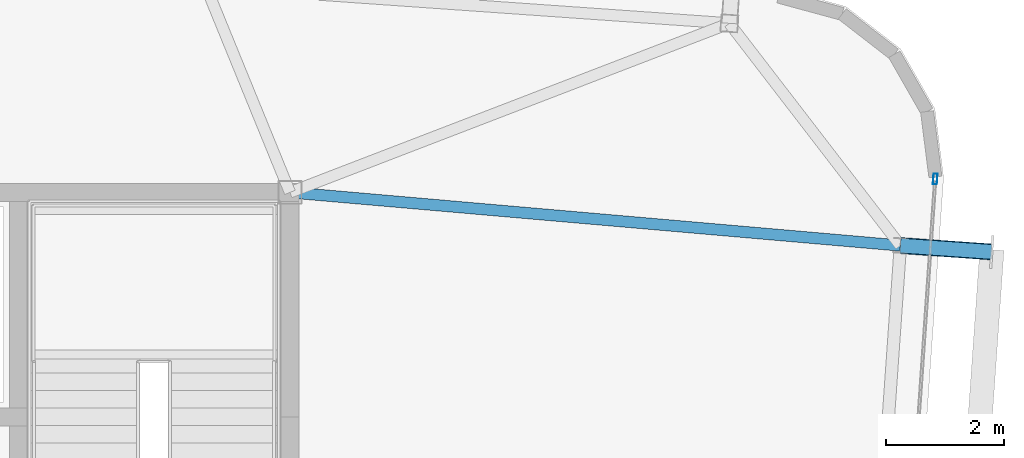
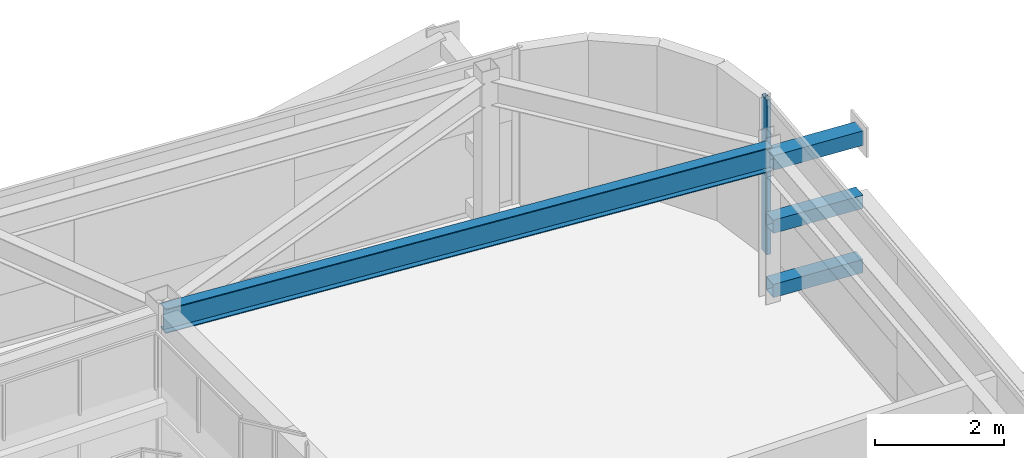
# One storey, part 18 of 39: 4 members, 1 beam, 1 element without a shape of its own.
"""IFC4 building model written with IfcOpenShell, lengths in metres."""

import ifcopenshell
import ifcopenshell.guid

model = None  # the IFC model being written
_history = None  # IfcOwnerHistory: only IFC2X3 demands one
_inside = {}  # id of a spatial element -> (the spatial element, [elements in it])
_under = {}  # id of a project, library or spatial element -> (it, [spatial elements below it])
_declared = {}  # id of a project -> (the project, [libraries it declares])
_typed = {}  # id of a type object -> (the type object, [elements of that type])
_made_of = {}  # id of a material, layer set ... -> (it, [elements and type objects made of it])


def new_model(schema):
    """Start an empty IFC model of exactly this schema.

    Asked for "IFC4X3", IfcOpenShell would pick the latest addendum, in which some entities
    have other attributes; the version numbers below select the first issue.
    IFC2X3 requires an IfcOwnerHistory on every rooted entity: one is made here for all.
    """
    global model, _history
    if schema == "IFC4X3":
        model = ifcopenshell.file(schema_version=(4, 3, 0, 0))
    else:
        model = ifcopenshell.file(schema=schema)
    _inside.clear()
    _under.clear()
    _declared.clear()
    _typed.clear()
    _made_of.clear()
    _history = None
    if model.schema == "IFC2X3":
        org = make("IfcOrganization", Name="unknown")
        user = make(
            "IfcPersonAndOrganization",
            ThePerson=make("IfcPerson", FamilyName="unknown"),
            TheOrganization=org,
        )
        app = make(
            "IfcApplication",
            ApplicationDeveloper=org,
            Version="unknown",
            ApplicationFullName="unknown",
            ApplicationIdentifier="unknown",
        )
        _history = make(
            "IfcOwnerHistory",
            OwningUser=user,
            OwningApplication=app,
            ChangeAction="ADDED",
            CreationDate=0,
        )
    return model


def make(cls, **values):
    """One entity of the class cls with the attributes given. An attribute that is None is left unset."""
    return model.create_entity(
        cls, **{name: value for name, value in values.items() if value is not None}
    )


def rooted(cls, **values):
    """An entity with a GlobalId (a new one), such as an element, a storey or a relation."""
    return make(cls, GlobalId=ifcopenshell.guid.new(), OwnerHistory=_history, **values)


def si_unit(unit_type, name, prefix=None):
    """IfcSIUnit, for example si_unit("LENGTHUNIT", "METRE", prefix="MILLI")."""
    return make("IfcSIUnit", UnitType=unit_type, Prefix=prefix, Name=name)


def assignment(units):
    """IfcUnitAssignment: the units of a project."""
    return None if units is None else make("IfcUnitAssignment", Units=units)


def point(xyz):
    """IfcCartesianPoint."""
    return None if xyz is None else make("IfcCartesianPoint", Coordinates=xyz)


def direction(xyz):
    """IfcDirection."""
    return None if xyz is None else make("IfcDirection", DirectionRatios=xyz)


def frame(location, z_axis=None, x_axis=None):
    """IfcAxis2Placement3D, a coordinate frame: its origin and axes. An axis left out is left unset."""
    return make(
        "IfcAxis2Placement3D",
        Location=point(location),
        Axis=direction(z_axis),
        RefDirection=direction(x_axis),
    )


def frame_2d(location, x_axis=None):
    """IfcAxis2Placement2D, a coordinate frame in the plane: its origin and x axis."""
    return make(
        "IfcAxis2Placement2D", Location=point(location), RefDirection=direction(x_axis)
    )


def origin():
    """The frame at (0, 0, 0) with its axes left unset."""
    return frame((0.0, 0.0, 0.0))


def origin_2d():
    """The frame at (0, 0) in the plane with its x axis left unset."""
    return frame_2d((0.0, 0.0))


def place(relative_to, where):
    """IfcLocalPlacement: puts the frame where relative to a parent placement (None: the world)."""
    return make(
        "IfcLocalPlacement", PlacementRelTo=relative_to, RelativePlacement=where
    )


def context(
    kind, dimensions, precision=None, world=None, true_north=None, identifier=None
):
    """IfcGeometricRepresentationContext, for example the 3D "Model" context."""
    return make(
        "IfcGeometricRepresentationContext",
        ContextIdentifier=identifier,
        ContextType=kind,
        CoordinateSpaceDimension=dimensions,
        Precision=precision,
        WorldCoordinateSystem=world,
        TrueNorth=true_north,
    )


def subcontext(parent, identifier, kind, view, scale=None):
    """IfcGeometricRepresentationSubContext, for example "Body" below "Model"."""
    return make(
        "IfcGeometricRepresentationSubContext",
        ContextIdentifier=identifier,
        ContextType=kind,
        ParentContext=parent,
        TargetScale=scale,
        TargetView=view,
    )


def project(units=None, contexts=None):
    """IfcProject with its units and contexts."""
    return rooted(
        "IfcProject",
        Name="project",
        RepresentationContexts=contexts,
        UnitsInContext=assignment(units),
    )


def spatial(cls, under=None, at=None, **own):
    """A site, building, storey or space (cls), placed at a placement, below another one or the project."""
    s = rooted(cls, ObjectPlacement=at, **own)
    if under is not None:
        _under.setdefault(under.id(), (under, []))[1].append(s)
    return s


def profile(cls, at=None, kind="AREA", **sizes):
    """A parametric profile (cls). Its sizes go by their IFC names, for example OverallWidth=200.0."""
    return make(cls, ProfileType=kind, Position=at, **sizes)


def hollow_rectangle(**sizes):
    """IfcRectangleHollowProfileDef."""
    return profile("IfcRectangleHollowProfileDef", **sizes)


def i_section(**sizes):
    """IfcIShapeProfileDef."""
    return profile("IfcIShapeProfileDef", **sizes)


def extrude(swept, where, along, depth):
    """IfcExtrudedAreaSolid: the profile swept, set in the frame where, extruded along a direction by depth."""
    return make(
        "IfcExtrudedAreaSolid",
        SweptArea=swept,
        Position=where,
        ExtrudedDirection=direction(along),
        Depth=depth,
    )


def shape(context_of_items, identifier, shape_type, items):
    """IfcShapeRepresentation: the items that make up one representation, for example the "Body"."""
    return make(
        "IfcShapeRepresentation",
        ContextOfItems=context_of_items,
        RepresentationIdentifier=identifier,
        RepresentationType=shape_type,
        Items=items,
    )


def source(mapping_origin, context_of_items, identifier, shape_type, items):
    """IfcRepresentationMap: a shape defined once, which mapped items show again and again."""
    return make(
        "IfcRepresentationMap",
        MappingOrigin=mapping_origin,
        MappedRepresentation=shape(context_of_items, identifier, shape_type, items),
    )


def transform(
    local_origin,
    x_axis=None,
    y_axis=None,
    z_axis=None,
    scale=None,
    scale2=None,
    scale3=None,
    uniform=True,
):
    """IfcCartesianTransformationOperator3D, or its non-uniform kind. x_axis, y_axis, z_axis: its Axis1, 2, 3."""
    if uniform:
        return make(
            "IfcCartesianTransformationOperator3D",
            Axis1=direction(x_axis),
            Axis2=direction(y_axis),
            LocalOrigin=point(local_origin),
            Scale=scale,
            Axis3=direction(z_axis),
        )
    return make(
        "IfcCartesianTransformationOperator3DnonUniform",
        Axis1=direction(x_axis),
        Axis2=direction(y_axis),
        LocalOrigin=point(local_origin),
        Scale=scale,
        Axis3=direction(z_axis),
        Scale2=scale2,
        Scale3=scale3,
    )


def mapped(mapping_source, mapping_target):
    """IfcMappedItem: shows the shape of a source again, moved by a transform."""
    return make(
        "IfcMappedItem", MappingSource=mapping_source, MappingTarget=mapping_target
    )


def material(Name=None, Category=None):
    """IfcMaterial."""
    return make("IfcMaterial", Name=Name, Category=Category)


def layer(
    of_material, thickness, ventilated=None, Name=None, Category=None, Priority=None
):
    """IfcMaterialLayer: one layer of a wall or slab, of a material (None: an air gap)."""
    return make(
        "IfcMaterialLayer",
        Material=of_material,
        LayerThickness=thickness,
        IsVentilated=ventilated,
        Name=Name,
        Category=Category,
        Priority=Priority,
    )


def layer_set(layers, Name=None):
    """IfcMaterialLayerSet."""
    return make("IfcMaterialLayerSet", MaterialLayers=layers, LayerSetName=Name)


def material_profile(
    of_material, cross_section, Name=None, Category=None, Priority=None
):
    """IfcMaterialProfile: a cross section and its material."""
    return make(
        "IfcMaterialProfile",
        Name=Name,
        Material=of_material,
        Profile=cross_section,
        Priority=Priority,
        Category=Category,
    )


def profile_set(profiles, Name=None, composite=None):
    """IfcMaterialProfileSet."""
    return make(
        "IfcMaterialProfileSet",
        Name=Name,
        MaterialProfiles=profiles,
        CompositeProfile=composite,
    )


def made_of(thing, what):
    """Note that an element or type object is made of a material, layer set ...; save() writes the relation."""
    if what is not None:
        _made_of.setdefault(what.id(), (what, []))[1].append(thing)
    return thing


def type_object(cls, material=None, **own):
    """A type object (cls), such as IfcWallType, which elements share."""
    return made_of(rooted(cls, **own), material)


def element(
    cls,
    number,
    at=None,
    inside=None,
    cuts=None,
    type_object=None,
    material=None,
    context=None,
    identifier="Body",
    shape_type=None,
    held_by="IfcProductDefinitionShape",
    body=None,
    shapes=None,
    **own,
):
    """One element of the class cls, such as IfcWall. Its Tag is "e" and its number.

    at: its placement. inside: the storey or other place that contains it. cuts: it is an
    opening in that element (IfcRelVoidsElement). A single representation is given by context,
    identifier, shape_type and body (its items); several are given by shapes. held_by: the class
    of the entity that holds the representations. save() writes the other relations.
    """
    e = rooted(cls, Tag="e%d" % number, ObjectPlacement=at, **own)
    if body is not None:
        shapes = [shape(context, identifier, shape_type, body)]
    if shapes is not None:
        e.Representation = make(held_by, Representations=shapes)
    if inside is not None:
        _inside.setdefault(inside.id(), (inside, []))[1].append(e)
    if cuts is not None:
        rooted(
            "IfcRelVoidsElement", RelatingBuildingElement=cuts, RelatedOpeningElement=e
        )
    if type_object is not None:
        _typed.setdefault(type_object.id(), (type_object, []))[1].append(e)
    return made_of(e, material)


def aggregate(whole, parts):
    """IfcRelAggregates: a whole, such as a stair, and the parts it consists of."""
    return rooted("IfcRelAggregates", RelatingObject=whole, RelatedObjects=parts)


def save(model, path):
    """Write the relations noted so far, then the file.

    IfcRelAggregates (storeys below a building ...), IfcRelContainedInSpatialStructure (elements
    in a storey), IfcRelDefinesByType, IfcRelAssociatesMaterial and IfcRelDeclares: one each for
    every whole, place, type object, material and project.
    """
    for whole, parts in _under.values():
        aggregate(whole, parts)
    for where, things in _inside.values():
        rooted(
            "IfcRelContainedInSpatialStructure",
            RelatedElements=things,
            RelatingStructure=where,
        )
    for kind, things in _typed.values():
        rooted("IfcRelDefinesByType", RelatedObjects=things, RelatingType=kind)
    for what, things in _made_of.values():
        rooted("IfcRelAssociatesMaterial", RelatedObjects=things, RelatingMaterial=what)
    for by, libraries in _declared.values():
        rooted("IfcRelDeclares", RelatingContext=by, RelatedDefinitions=libraries)
    model.write(path)


model = new_model("IFC4")

# Units and contexts
model_context = context("Model", 3, precision=1e-05, world=origin(), true_north=direction((0.0, 1.0)))
body_context = subcontext(model_context, "Body", "Model", "MODEL_VIEW")
ifc_project = project(units=[si_unit("LENGTHUNIT", "METRE"), si_unit("AREAUNIT", "SQUARE_METRE"), si_unit("VOLUMEUNIT", "CUBIC_METRE"), si_unit("PLANEANGLEUNIT", "RADIAN"), si_unit("MASSUNIT", "GRAM", prefix="KILO")], contexts=[model_context])

# Site, building, storey
site_placement = place(None, origin())
site = spatial("IfcSite", under=ifc_project, at=site_placement, CompositionType="ELEMENT")
building_placement = place(site_placement, origin())
building = spatial("IfcBuilding", under=site, at=building_placement, Name="Taldren Reach Tower", CompositionType="ELEMENT")
storey_placement = place(building_placement, frame((0.0, 0.0, 133.0)))
storey = spatial("IfcBuildingStorey", under=building, at=storey_placement, Name="L40", CompositionType="ELEMENT", Elevation=133.0)

# Members
ifc_material_1 = material(Name="Steel Gr 450 (C450L0)", Category="steel")
ifc_material_profile_1 = material_profile(ifc_material_1, hollow_rectangle(XDim=0.27490234375, YDim=0.27490234375, WallThickness=0.00927734375, at=origin_2d()), Name="275x275x9.3SHS")
ifc_profile_set_1 = profile_set([ifc_material_profile_1], Name="Steel Gr 450 (C450L0)")
member_type_1 = type_object("IfcMemberType", Name="MB-TIE273", PredefinedType="STRUT", material=ifc_profile_set_1)
shared_shape_1 = source(origin(), body_context, "Body", "SweptSolid", [
    extrude(hollow_rectangle(XDim=0.27490234375, YDim=0.27490234375, WallThickness=0.00927734375, at=origin_2d()), origin(), (0.0, 0.0, 1.0), 1.550048828125),
])
member_1_placement = place(storey_placement, frame((61.3310546875, 31.1005859375, 2.64990234375), z_axis=(0.99756313426, -0.06976957191, 0.0), x_axis=(0.06976957191, 0.99756313426, 0.0)))
element("IfcMember", 1, at=member_1_placement, inside=storey, type_object=member_type_1, Name="Exoskeleton diaphragm tie strut B3-E3 L40", PredefinedType="STRUT", context=body_context, shape_type="MappedRepresentation", body=[
    mapped(shared_shape_1, transform((0.0, 0.0, 0.0), scale=1.0)),
])
ifc_material_2 = material(Name="Steel Gr 350 (C350L0)", Category="steel")
ifc_material_profile_2 = material_profile(ifc_material_2, hollow_rectangle(XDim=0.25, YDim=0.25, WallThickness=0.010009765625, at=origin_2d()), Name="250x250x10.0SHS")
ifc_profile_set_2 = profile_set([ifc_material_profile_2], Name="Steel Gr 350 (C350L0)")
member_type_2 = type_object("IfcMemberType", Name="MB-POST250", PredefinedType="POST", material=ifc_profile_set_2)
shared_shape_2 = source(origin(), body_context, "Body", "SweptSolid", [
    extrude(hollow_rectangle(XDim=0.25, YDim=0.25, WallThickness=0.010009765625, at=origin_2d()), origin(), (0.0, 0.0, 1.0), 1.550048828125),
])
for number, where, z_axis, x_axis, name in (
    (2, (61.3310546875, 31.1005859375, 0.219970703125), (0.99756313426, -0.06976957191, 0.0), (0.06976957191, 0.99756313426, 0.0), "Exoskeleton base diaphragm tie strut B3-E3 L40"),
    (3, (61.3310546875, 31.1005859375, 1.43505859375), (0.99756313426, -0.06976957191, 0.0), (0.06976957191, 0.99756313426, 0.0), "Exoskeleton mid-tier diaphragm tie B3-E3 L40"),
):
    element("IfcMember", number, at=place(storey_placement, frame(where, z_axis=z_axis, x_axis=x_axis)), inside=storey, type_object=member_type_2, Name=name, PredefinedType="POST", context=body_context, shape_type="MappedRepresentation", body=[
        mapped(shared_shape_2, transform((0.0, 0.0, 0.0), scale=1.0)),
    ])

# Beam
ifc_material_3 = material(Name="Steel Gr 350 (350PLUS)", Category="steel")
ifc_material_profile_3 = material_profile(ifc_material_3, i_section(OverallWidth=0.19091796875, OverallDepth=0.4599609375, WebThickness=0.010009765625, FlangeThickness=0.01611328125, at=origin_2d()), Name="460UB82.1")
ifc_profile_set_3 = profile_set([ifc_material_profile_3], Name="Steel Gr 350 (350PLUS)")
beam_type = type_object("IfcBeamType", Name="BM-UB460A", PredefinedType="BEAM", material=ifc_profile_set_3)
shared_shape_3 = source(origin(), body_context, "Body", "SweptSolid", [
    extrude(i_section(OverallWidth=0.19091796875, OverallDepth=0.4599609375, WebThickness=0.010009765625, FlangeThickness=0.01611328125, at=origin_2d()), origin(), (0.0, 0.0, 1.0), 10.3701171875),
])
beam_placement = place(storey_placement, frame((51.0, 32.0, 2.699951171875), z_axis=(0.996231748992, -0.086731207186, 0.0), x_axis=(0.086731207186, 0.996231748992, 0.0)))
element("IfcBeam", 4, at=beam_placement, inside=storey, type_object=beam_type, Name="Primary floor girder B3-E3 L40", PredefinedType="BEAM", context=body_context, shape_type="MappedRepresentation", body=[
    mapped(shared_shape_3, transform((0.0, 0.0, 0.0), scale=1.0)),
])

# Curtain wall, member
ifc_material_4 = material(Name="Aluminium and Low-E Glass Unitised System", Category="aluminium")
ifc_layer = layer(ifc_material_4, 0.159912109375)
ifc_layer_set = layer_set([ifc_layer], Name="Aluminium and Low-E Glass Unitised System")
curtain_wall_type = type_object("IfcCurtainWallType", Name="CW-SYS-4", PredefinedType="NOTDEFINED", material=ifc_layer_set)
curtain_wall_placement = place(storey_placement, origin())
curtain_wall = element("IfcCurtainWall", 5, at=curtain_wall_placement, inside=storey, type_object=curtain_wall_type, Name="Unitised curtain wall CW-L40-E", PredefinedType="NOTDEFINED")
ifc_material_5 = material(Name="Anodised Aluminium 6063-T6", Category="aluminium")
ifc_material_profile_4 = material_profile(ifc_material_5, hollow_rectangle(XDim=0.070068359375, YDim=0.179931640625, WallThickness=0.00390625, at=origin_2d()), Name="ALU-180x70x4RHS")
ifc_profile_set_4 = profile_set([ifc_material_profile_4], Name="Anodised Aluminium 6063-T6")
member_type_3 = type_object("IfcMemberType", Name="CW-MUL-180", PredefinedType="MULLION", material=ifc_profile_set_4)
shared_shape_4 = source(origin(), body_context, "Body", "SweptSolid", [
    extrude(hollow_rectangle(XDim=0.070068359375, YDim=0.179931640625, WallThickness=0.00390625, at=origin_2d()), origin(), (0.0, 0.0, 1.0), 2.929931640625),
])
member_2_placement = place(storey_placement, frame((61.921142578125, 32.22705078125, 0.0), z_axis=(0.0, 0.0, 1.0), x_axis=(-0.997564052812, 0.069756437251, 0.0)))
member_2 = element("IfcMember", 6, at=member_2_placement, type_object=member_type_3, Name="CW-4 mullion 3", PredefinedType="MULLION", context=body_context, shape_type="MappedRepresentation", body=[
    mapped(shared_shape_4, transform((0.0, 0.0, 0.0), scale=1.0)),
])
aggregate(curtain_wall, [member_2])

save(model, "model.ifc")
